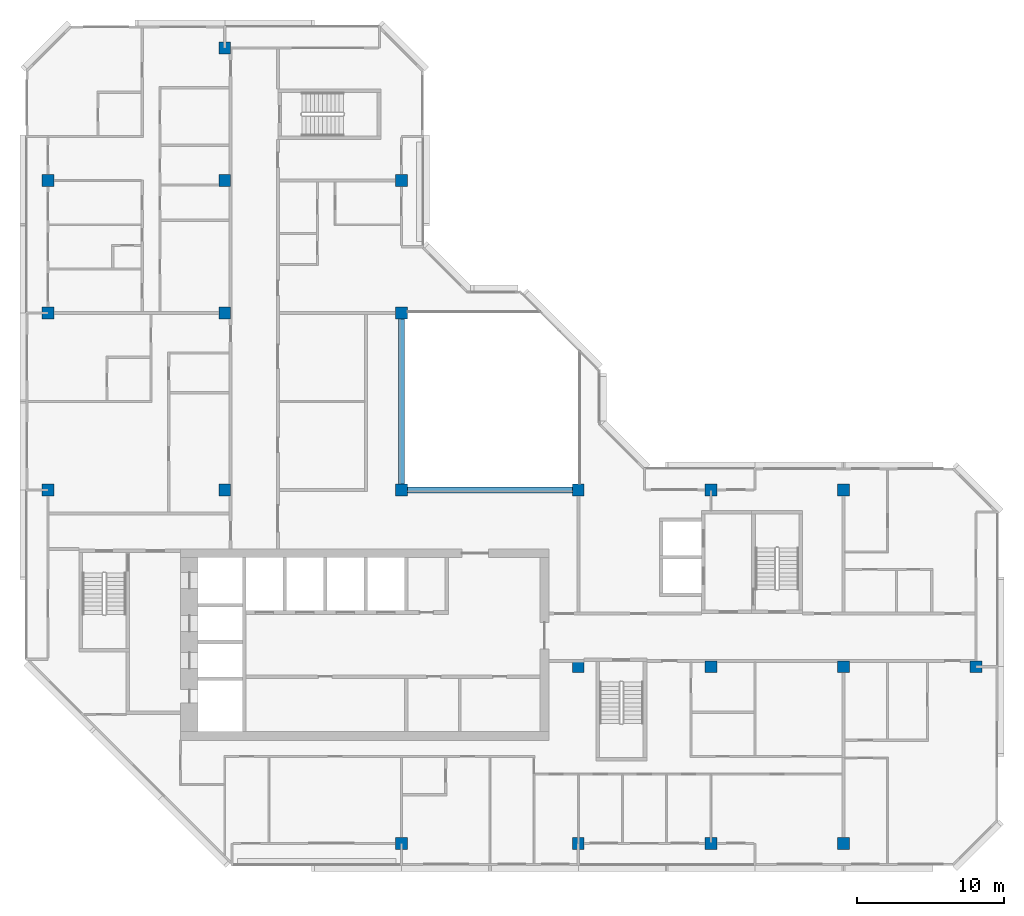
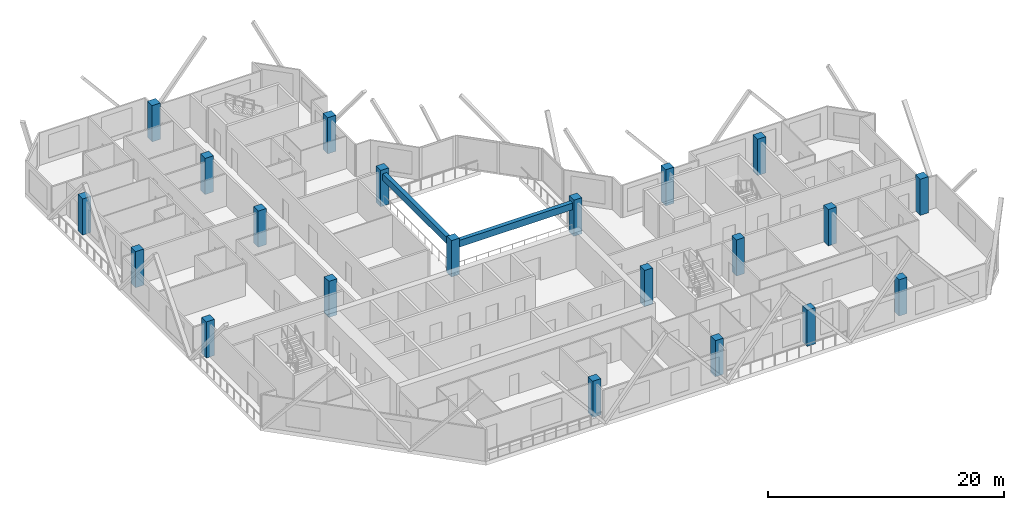
# One storey, part 1 of 13: 21 columns, 2 beams.
"""IFC4 building model written with IfcOpenShell, lengths in metres."""

from ifc_helpers import new_model, si_unit, direction, frame, origin, origin_2d, place, context, subcontext, project, spatial, rectangle, extrude, material, material_profile, profile_set, type_object, element, save


model = new_model("IFC4")

# Units and contexts
model_context = context("Model", 3, precision=1e-05, world=origin(), true_north=direction((0.0, 1.0)))
body_context = subcontext(model_context, "Body", "Model", "MODEL_VIEW")
ifc_project = project(units=[si_unit("LENGTHUNIT", "METRE"), si_unit("AREAUNIT", "SQUARE_METRE"), si_unit("VOLUMEUNIT", "CUBIC_METRE"), si_unit("PLANEANGLEUNIT", "RADIAN"), si_unit("MASSUNIT", "GRAM", prefix="KILO")], contexts=[model_context])

# Site, building, storey
site_placement = place(None, origin())
site = spatial("IfcSite", under=ifc_project, at=site_placement, CompositionType="ELEMENT")
building_placement = place(site_placement, origin())
building = spatial("IfcBuilding", under=site, at=building_placement, Name="Chenar Terraces", CompositionType="ELEMENT")
storey_placement = place(building_placement, frame((0.0, 0.0, 295.89990234375)))
storey = spatial("IfcBuildingStorey", under=building, at=storey_placement, Name="L69", CompositionType="ELEMENT", Elevation=295.89990234375)

# Columns
ifc_material_1 = material(Name="Concrete C50/60", Category="concrete")
ifc_material_profile_1 = material_profile(ifc_material_1, rectangle(XDim=0.800048828125, YDim=0.800048828125, at=origin_2d()), Name="C 800 x 800")
ifc_profile_set_1 = profile_set([ifc_material_profile_1], Name="Concrete C50/60")
column_type = type_object("IfcColumnType", Name="Column C 800 x 800 Concrete C50/60", PredefinedType="COLUMN", material=ifc_profile_set_1)
column_1_placement = place(storey_placement, frame((0.0, 24.0, 0.0), z_axis=(0.0, 0.0, 1.0), x_axis=(1.0, 0.0, 0.0)))
element("IfcColumn", 1, at=column_1_placement, inside=storey, type_object=column_type, Name="Column 5/G L69", PredefinedType="COLUMN", context=body_context, shape_type="SweptSolid", body=[
    extrude(rectangle(XDim=0.800048828125, YDim=0.800048828125, at=origin_2d()), origin(), (0.0, 0.0, 1.0), 3.75),
])
column_2_placement = place(storey_placement, frame((0.0, 36.0, 0.0), z_axis=(0.0, 0.0, 1.0), x_axis=(1.0, 0.0, 0.0)))
element("IfcColumn", 2, at=column_2_placement, inside=storey, type_object=column_type, Name="Column 5/H L69", PredefinedType="COLUMN", context=body_context, shape_type="SweptSolid", body=[
    extrude(rectangle(XDim=0.800048828125, YDim=0.800048828125, at=origin_2d()), origin(), (0.0, 0.0, 1.0), 3.75),
])
for number, where, z_axis, x_axis, name in (
    (3, (0.0, 45.0, 0.0), (0.0, 0.0, 1.0), (1.0, 0.0, 0.0), "Column 5/J L69"),
    (4, (12.0, 24.0, 0.0), (0.0, 0.0, 1.0), (1.0, 0.0, 0.0), "Column 6/G L69"),
    (5, (12.0, 36.0, 0.0), (0.0, 0.0, 1.0), (1.0, 0.0, 0.0), "Column 6/H L69"),
    (6, (12.0, 45.0, 0.0), (0.0, 0.0, 1.0), (1.0, 0.0, 0.0), "Column 6/J L69"),
    (7, (12.0, 54.0, 0.0), (0.0, 0.0, 1.0), (1.0, 0.0, 0.0), "Column 6/K L69"),
    (8, (24.0, 0.0, 0.0), (0.0, 0.0, 1.0), (1.0, 0.0, 0.0), "Column 7/E L69"),
    (9, (24.0, 24.0, 0.0), (0.0, 0.0, 1.0), (1.0, 0.0, 0.0), "Column 7/G L69"),
    (10, (24.0, 36.0, 0.0), (0.0, 0.0, 1.0), (1.0, 0.0, 0.0), "Column 7/H L69"),
    (11, (24.0, 45.0, 0.0), (0.0, 0.0, 1.0), (1.0, 0.0, 0.0), "Column 7/J L69"),
    (12, (36.0, 0.0, 0.0), (0.0, 0.0, 1.0), (1.0, 0.0, 0.0), "Column 8/E L69"),
    (13, (36.0, 12.0, 0.0), (0.0, 0.0, 1.0), (1.0, 0.0, 0.0), "Column 8/F L69"),
    (14, (36.0, 24.0, 0.0), (0.0, 0.0, 1.0), (1.0, 0.0, 0.0), "Column 8/G L69"),
    (15, (45.0, 0.0, 0.0), (0.0, 0.0, 1.0), (1.0, 0.0, 0.0), "Column 9/E L69"),
    (16, (45.0, 12.0, 0.0), (0.0, 0.0, 1.0), (1.0, 0.0, 0.0), "Column 9/F L69"),
    (17, (45.0, 24.0, 0.0), (0.0, 0.0, 1.0), (1.0, 0.0, 0.0), "Column 9/G L69"),
    (18, (54.0, 0.0, 0.0), (0.0, 0.0, 1.0), (1.0, 0.0, 0.0), "Column 10/E L69"),
    (19, (54.0, 12.0, 0.0), (0.0, 0.0, 1.0), (1.0, 0.0, 0.0), "Column 10/F L69"),
    (20, (54.0, 24.0, 0.0), (0.0, 0.0, 1.0), (1.0, 0.0, 0.0), "Column 10/G L69"),
    (21, (63.0, 12.0, 0.0), (0.0, 0.0, 1.0), (1.0, 0.0, 0.0), "Column 11/F L69"),
):
    element("IfcColumn", number, at=place(storey_placement, frame(where, z_axis=z_axis, x_axis=x_axis)), inside=storey, type_object=column_type, Name=name, PredefinedType="COLUMN", context=body_context, shape_type="SweptSolid", body=[
        extrude(rectangle(XDim=0.800048828125, YDim=0.800048828125, at=origin_2d()), origin(), (0.0, 0.0, 1.0), 3.75),
    ])

# Beams
ifc_material_2 = material(Name="Concrete C40/50", Category="concrete")
ifc_material_profile_2 = material_profile(ifc_material_2, rectangle(XDim=0.39990234375, YDim=0.699951171875, at=origin_2d()), Name="RC 400 x 700")
ifc_profile_set_2 = profile_set([ifc_material_profile_2], Name="Concrete C40/50")
beam_type = type_object("IfcBeamType", Name="Atrium edge beam 400 x 700 Concrete C40/50", PredefinedType="BEAM", material=ifc_profile_set_2)
for number, where, z_axis, x_axis, name in (
    (22, (24.39990234375, 24.0, 3.0), (1.0, 0.0, 0.0), (0.0, 1.0, 0.0), "Atrium edge beam L70 1"),
    (23, (24.0, 35.60009765625, 3.0), (0.0, -1.0, 0.0), (1.0, 0.0, 0.0), "Atrium edge beam L70 4"),
):
    element("IfcBeam", number, at=place(storey_placement, frame(where, z_axis=z_axis, x_axis=x_axis)), inside=storey, type_object=beam_type, Name=name, PredefinedType="BEAM", context=body_context, shape_type="SweptSolid", body=[
        extrude(rectangle(XDim=0.39990234375, YDim=0.699951171875, at=origin_2d()), origin(), (0.0, 0.0, 1.0), 11.2001953125),
    ])

save(model, "model.ifc")
